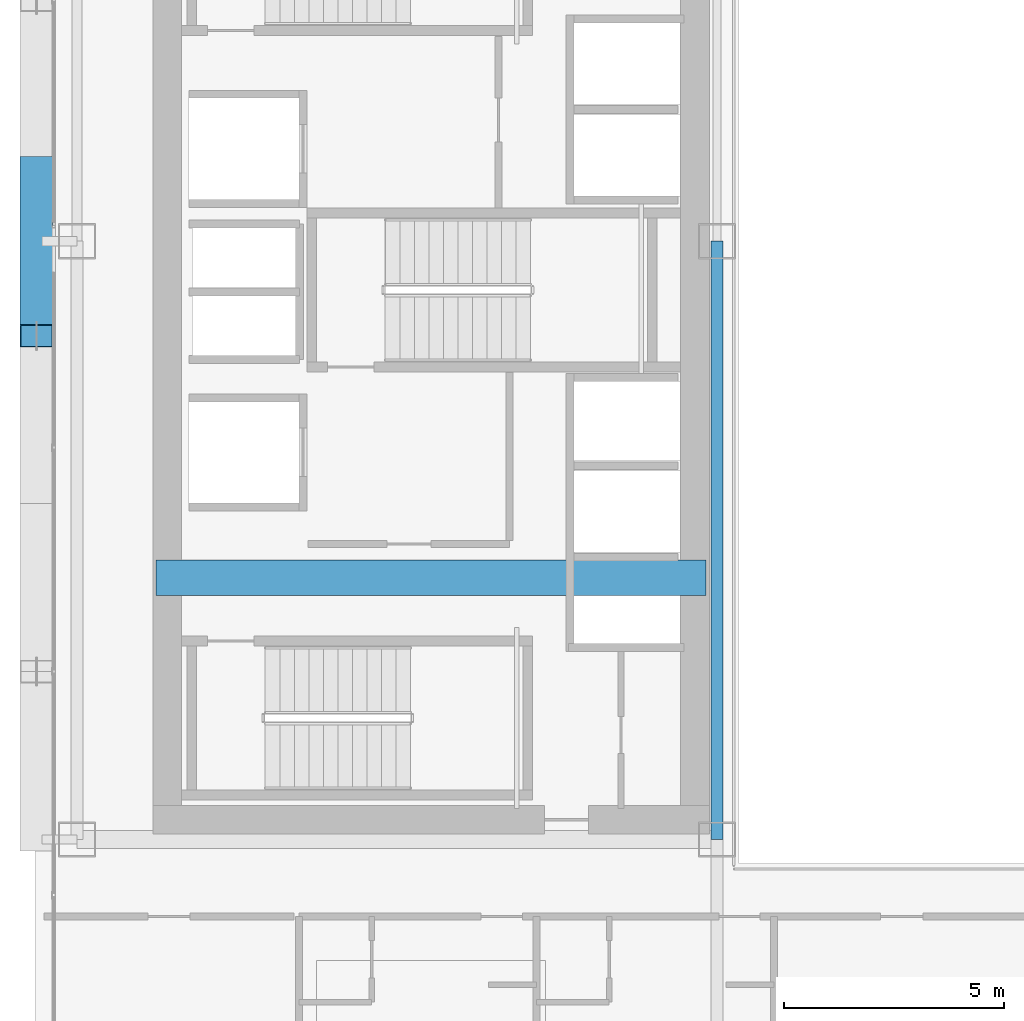
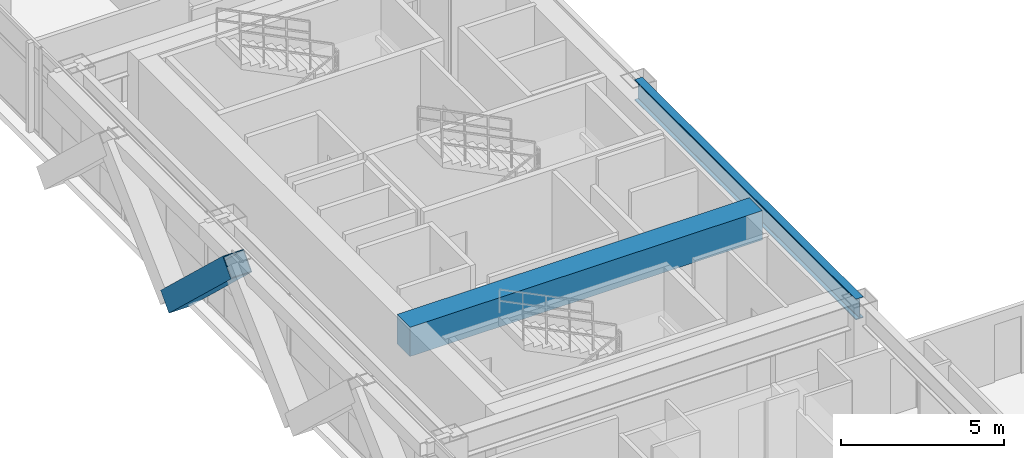
# One storey, part 7 of 35: 2 beams, 1 member.
"""IFC4 building model written with IfcOpenShell, lengths in metres."""

from ifc_helpers import new_model, si_unit, direction, frame, origin, origin_2d, place, context, subcontext, project, spatial, rectangle, hollow_rectangle, i_section, extrude, source, transform, mapped, material, material_profile, profile_set, type_object, element, save


model = new_model("IFC4")

# Units and contexts
model_context = context("Model", 3, precision=1e-05, world=origin(), true_north=direction((0.0, 1.0)))
body_context = subcontext(model_context, "Body", "Model", "MODEL_VIEW")
ifc_project = project(units=[si_unit("LENGTHUNIT", "METRE"), si_unit("AREAUNIT", "SQUARE_METRE"), si_unit("VOLUMEUNIT", "CUBIC_METRE"), si_unit("PLANEANGLEUNIT", "RADIAN"), si_unit("MASSUNIT", "GRAM", prefix="KILO")], contexts=[model_context])

# Site, building, storey
site_placement = place(None, origin())
site = spatial("IfcSite", under=ifc_project, at=site_placement, CompositionType="ELEMENT")
building_placement = place(site_placement, origin())
building = spatial("IfcBuilding", under=site, at=building_placement, Name="Ocotamira Hotel", CompositionType="ELEMENT")
storey_placement = place(building_placement, frame((0.0, 0.0, 118.800048828125)))
storey = spatial("IfcBuildingStorey", under=building, at=storey_placement, Name="L29", CompositionType="ELEMENT", Elevation=118.800048828125)

# Beams
ifc_material_1 = material(Name="Concrete C60/75", Category="concrete")
ifc_material_profile_1 = material_profile(ifc_material_1, rectangle(XDim=0.800048828125, YDim=1.10009765625, at=origin_2d()), Name="RC800X1100")
ifc_profile_set_1 = profile_set([ifc_material_profile_1], Name="Concrete C60/75")
beam_type_1 = type_object("IfcBeamType", Name="BM-LINK-RC800", PredefinedType="LINTEL", material=ifc_profile_set_1)
shared_shape_1 = source(origin(), body_context, "Body", "SweptSolid", [
    extrude(rectangle(XDim=0.800048828125, YDim=1.10009765625, at=origin_2d()), origin(), (0.0, 0.0, 1.0), 12.5),
])
beam_1_placement = place(storey_placement, frame((10.75, 20.5, 2.81005859375), z_axis=(1.0, 0.0, 0.0), x_axis=(0.0, 1.0, 0.0)))
element("IfcBeam", 1, at=beam_1_placement, inside=storey, type_object=beam_type_1, Name="L29 West Core Coupling Beam", PredefinedType="LINTEL", context=body_context, shape_type="MappedRepresentation", body=[
    mapped(shared_shape_1, transform((0.0, 0.0, 0.0), scale=1.0)),
])
ifc_material_2 = material(Name="Steel ASTM A992 Grade 50", Category="steel")
ifc_material_profile_2 = material_profile(ifc_material_2, i_section(OverallWidth=0.26611328125, OverallDepth=0.779052734375, WebThickness=0.0166015625, FlangeThickness=0.030029296875, FilletRadius=0.01806640625, at=origin_2d()), Name="W30X148")
ifc_profile_set_2 = profile_set([ifc_material_profile_2], Name="Steel ASTM A992 Grade 50")
beam_type_2 = type_object("IfcBeamType", Name="BM-GIRD-W30X148", PredefinedType="BEAM", material=ifc_profile_set_2)
shared_shape_2 = source(origin(), body_context, "Body", "SweptSolid", [
    extrude(i_section(OverallWidth=0.26611328125, OverallDepth=0.779052734375, WebThickness=0.0166015625, FlangeThickness=0.030029296875, FilletRadius=0.01806640625, at=origin_2d()), origin(), (0.0, 0.0, 1.0), 13.599853515625),
])
beam_2_placement = place(storey_placement, frame((23.5, 14.550048828125, 2.970458984375), z_axis=(0.0, 1.0, 0.0), x_axis=(-1.0, 0.0, 0.0)))
element("IfcBeam", 2, at=beam_2_placement, inside=storey, type_object=beam_type_2, Name="L29 Beam X23.5 Y14.55-28.15", PredefinedType="BEAM", context=body_context, shape_type="MappedRepresentation", body=[
    mapped(shared_shape_2, transform((0.0, 0.0, 0.0), scale=1.0)),
])

# Member
ifc_material_3 = material(Name="Pale-metal coated steel ASTM A913 Grade 65", Category="steel")
ifc_material_profile_3 = material_profile(ifc_material_3, hollow_rectangle(XDim=0.75, YDim=0.75, WallThickness=0.028076171875, at=origin_2d()), Name="BOX750X750X28")
ifc_profile_set_3 = profile_set([ifc_material_profile_3], Name="Pale-metal coated steel ASTM A913 Grade 65")
member_type = type_object("IfcMemberType", Name="MEM-EXO-BOX750", PredefinedType="BRACE", material=ifc_profile_set_3)
shared_shape_3 = source(origin(), body_context, "Body", "SweptSolid", [
    extrude(hollow_rectangle(XDim=0.75, YDim=0.75, WallThickness=0.028076171875, at=origin_2d()), origin(), (0.0, 0.0, 1.0), 5.24658203125),
])
member_placement = place(storey_placement, frame((8.030029296875, 29.816650390625, -0.489990234375), z_axis=(0.0, -0.72746596067, 0.686143772154), x_axis=(1.0, 0.0, 0.0)))
element("IfcMember", 3, at=member_placement, inside=storey, type_object=member_type, Name="L29 Exoskeleton Diagrid W1.2", PredefinedType="BRACE", context=body_context, shape_type="MappedRepresentation", body=[
    mapped(shared_shape_3, transform((0.0, 0.0, 0.0), scale=1.0)),
])

save(model, "model.ifc")
